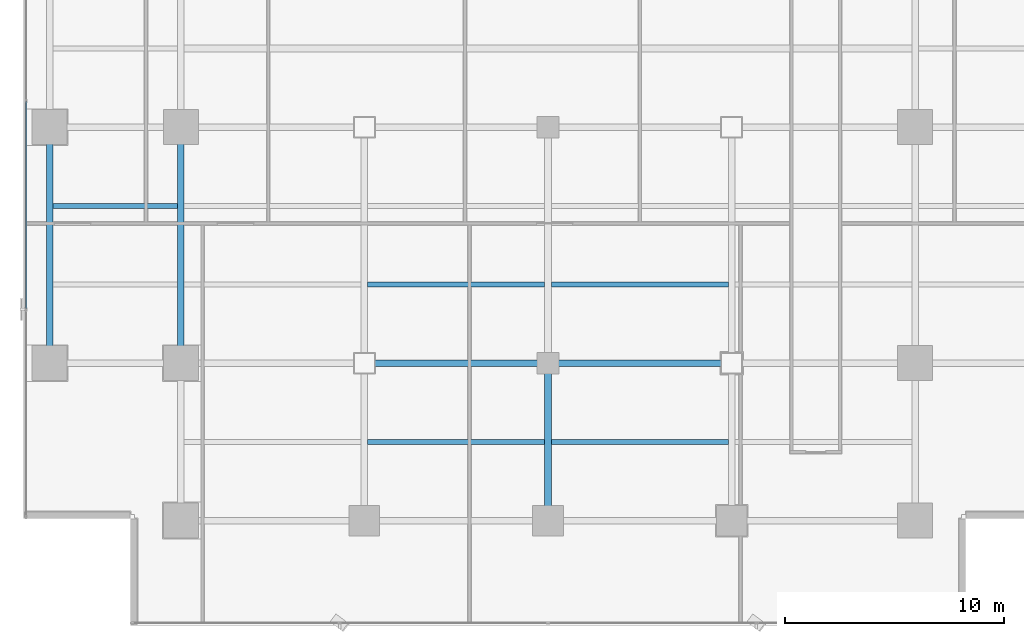
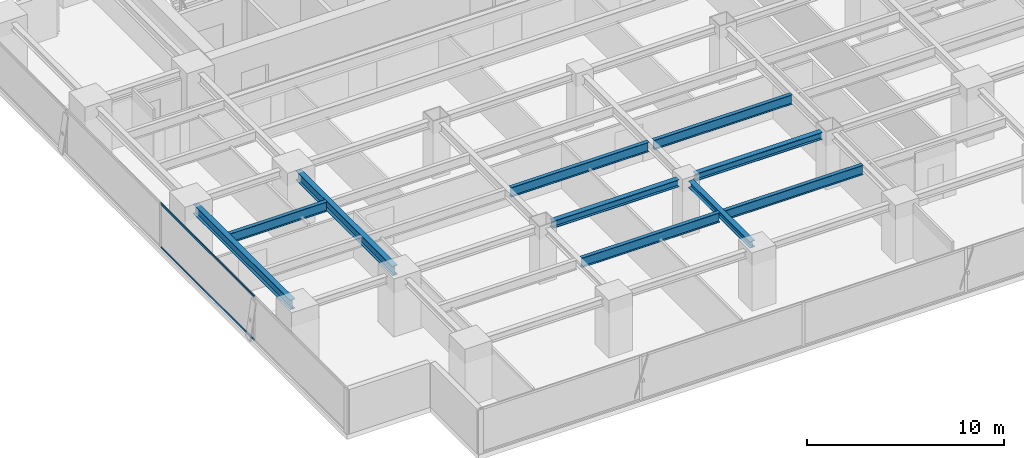
# One storey, part 6 of 29: 10 beams, 2 members, 1 element without a shape of its own.
"""IFC4 building model written with IfcOpenShell, lengths in metres."""

from ifc_helpers import new_model, si_unit, direction, frame, origin, origin_2d, place, context, subcontext, project, spatial, hollow_rectangle, i_section, extrude, source, transform, mapped, material, layer, layer_set, material_profile, profile_set, type_object, element, aggregate, save


model = new_model("IFC4")

# Units and contexts
model_context = context("Model", 3, precision=1e-05, world=origin(), true_north=direction((0.0, 1.0)))
body_context = subcontext(model_context, "Body", "Model", "MODEL_VIEW")
ifc_project = project(units=[si_unit("LENGTHUNIT", "METRE"), si_unit("AREAUNIT", "SQUARE_METRE"), si_unit("VOLUMEUNIT", "CUBIC_METRE"), si_unit("PLANEANGLEUNIT", "RADIAN"), si_unit("MASSUNIT", "GRAM", prefix="KILO")], contexts=[model_context])

# Site, building, storey
site_placement = place(None, origin())
site = spatial("IfcSite", under=ifc_project, at=site_placement, CompositionType="ELEMENT")
building_placement = place(site_placement, origin())
building = spatial("IfcBuilding", under=site, at=building_placement, Name="Sumidabori Civic Tower", CompositionType="ELEMENT")
storey_placement = place(building_placement, frame((0.0, 0.0, 131.60009765625)))
storey = spatial("IfcBuildingStorey", under=building, at=storey_placement, Name="L33", CompositionType="ELEMENT", Elevation=131.60009765625)

# Beams
ifc_material_1 = material(Name="Steel SN490", Category="steel")
ifc_material_profile_1 = material_profile(ifc_material_1, i_section(OverallWidth=0.300048828125, OverallDepth=0.39990234375, WebThickness=0.013427734375, FlangeThickness=0.02392578125, at=origin_2d()), Name="HE 400 B")
ifc_profile_set_1 = profile_set([ifc_material_profile_1], Name="Steel SN490")
beam_type_1 = type_object("IfcBeamType", Name="BM-GIRD-400", PredefinedType="BEAM", material=ifc_profile_set_1)
shared_shape_1 = source(origin(), body_context, "Body", "SweptSolid", [
    extrude(i_section(OverallWidth=0.300048828125, OverallDepth=0.39990234375, WebThickness=0.013427734375, FlangeThickness=0.02392578125, at=origin_2d()), origin(), (0.0, 0.0, 1.0), 6.239990234375),
])
beam_1_placement = place(storey_placement, frame((0.0, -17.52001953125, 3.179931640625), z_axis=(0.0, 1.0, 0.0), x_axis=(-1.0, 0.0, 0.0)))
element("IfcBeam", 1, at=beam_1_placement, inside=storey, type_object=beam_type_1, Name="Primary Girder L33 GY-28", PredefinedType="BEAM", context=body_context, shape_type="MappedRepresentation", body=[
    mapped(shared_shape_1, transform((0.0, 0.0, 0.0), x_axis=(1.0, 0.0, 0.0), y_axis=(0.0, 1.0, 0.0), z_axis=(0.0, 0.0, 1.0), scale=1.0)),
])
ifc_material_profile_2 = material_profile(ifc_material_1, i_section(OverallWidth=0.300048828125, OverallDepth=0.60009765625, WebThickness=0.015380859375, FlangeThickness=0.030029296875, at=origin_2d()), Name="HE 600 B")
ifc_profile_set_2 = profile_set([ifc_material_profile_2], Name="Steel SN490")
beam_type_2 = type_object("IfcBeamType", Name="BM-GIRD-600", PredefinedType="BEAM", material=ifc_profile_set_2)
shared_shape_2 = source(origin(), body_context, "Body", "SweptSolid", [
    extrude(i_section(OverallWidth=0.300048828125, OverallDepth=0.60009765625, WebThickness=0.015380859375, FlangeThickness=0.030029296875, at=origin_2d()), origin(), (0.0, 0.0, 1.0), 9.840087890625),
])
for number, where, z_axis, x_axis, name in (
    (2, (-22.800048828125, -10.320068359375, 3.079833984375), (0.0, 1.0, 0.0), (-1.0, 0.0, 0.0), "Primary Girder L33 GY-19"),
    (3, (-16.800048828125, -10.320068359375, 3.079833984375), (0.0, 1.0, 0.0), (-1.0, 0.0, 0.0), "Primary Girder L33 GY-23"),
):
    element("IfcBeam", number, at=place(storey_placement, frame(where, z_axis=z_axis, x_axis=x_axis)), inside=storey, type_object=beam_type_2, Name=name, PredefinedType="BEAM", context=body_context, shape_type="MappedRepresentation", body=[
        mapped(shared_shape_2, transform((0.0, 0.0, 0.0), x_axis=(1.0, 0.0, 0.0), y_axis=(0.0, 1.0, 0.0), z_axis=(0.0, 0.0, 1.0), scale=1.0)),
    ])
ifc_material_profile_3 = material_profile(ifc_material_1, i_section(OverallWidth=0.219970703125, OverallDepth=0.60009765625, WebThickness=0.011962890625, FlangeThickness=0.01904296875, at=origin_2d()), Name="IPE 600")
ifc_profile_set_3 = profile_set([ifc_material_profile_3], Name="Steel SN490")
beam_type_3 = type_object("IfcBeamType", Name="BM-JST-600", PredefinedType="JOIST", material=ifc_profile_set_3)
shared_shape_3 = source(origin(), body_context, "Body", "SweptSolid", [
    extrude(i_section(OverallWidth=0.219970703125, OverallDepth=0.60009765625, WebThickness=0.011962890625, FlangeThickness=0.01904296875, at=origin_2d()), origin(), (0.0, 0.0, 1.0), 5.699951171875),
])
beam_2_placement = place(storey_placement, frame((-22.64990234375, -3.60009765625, 3.079833984375), z_axis=(1.0, 0.0, 0.0), x_axis=(0.0, 1.0, 0.0)))
element("IfcBeam", 4, at=beam_2_placement, inside=storey, type_object=beam_type_3, Name="Outer Bay Floor Joist L33 JSTO-41", PredefinedType="JOIST", context=body_context, shape_type="MappedRepresentation", body=[
    mapped(shared_shape_3, transform((0.0, 0.0, 0.0), x_axis=(1.0, 0.0, 0.0), y_axis=(0.0, 1.0, 0.0), z_axis=(0.0, 0.0, 1.0), scale=1.0)),
])
shared_shape_4 = source(origin(), body_context, "Body", "SweptSolid", [
    extrude(i_section(OverallWidth=0.219970703125, OverallDepth=0.60009765625, WebThickness=0.011962890625, FlangeThickness=0.01904296875, at=origin_2d()), origin(), (0.0, 0.0, 1.0), 8.10009765625),
])
for number, where, z_axis, x_axis, name in (
    (5, (-8.25, -14.39990234375, 3.079833984375), (1.0, 0.0, 0.0), (0.0, 1.0, 0.0), "South Bay Floor Joist L33 JSTS-50"),
    (6, (0.14990234375, -14.39990234375, 3.079833984375), (1.0, 0.0, 0.0), (0.0, 1.0, 0.0), "South Bay Floor Joist L33 JSTS-51"),
    (7, (-8.25, -7.199951171875, 3.079833984375), (1.0, 0.0, 0.0), (0.0, 1.0, 0.0), "South Bay Floor Joist L33 JSTS-54"),
    (8, (0.14990234375, -7.199951171875, 3.079833984375), (1.0, 0.0, 0.0), (0.0, 1.0, 0.0), "South Bay Floor Joist L33 JSTS-55"),
):
    element("IfcBeam", number, at=place(storey_placement, frame(where, z_axis=z_axis, x_axis=x_axis)), inside=storey, type_object=beam_type_3, Name=name, PredefinedType="JOIST", context=body_context, shape_type="MappedRepresentation", body=[
        mapped(shared_shape_4, transform((0.0, 0.0, 0.0), x_axis=(1.0, 0.0, 0.0), y_axis=(0.0, 1.0, 0.0), z_axis=(0.0, 0.0, 1.0), scale=1.0)),
    ])
ifc_material_profile_4 = material_profile(ifc_material_1, i_section(OverallWidth=0.300048828125, OverallDepth=0.449951171875, WebThickness=0.013916015625, FlangeThickness=0.02587890625, at=origin_2d()), Name="HE 450 B")
ifc_profile_set_4 = profile_set([ifc_material_profile_4], Name="Steel SN490")
beam_type_4 = type_object("IfcBeamType", Name="BM-GIRD-450", PredefinedType="BEAM", material=ifc_profile_set_4)
shared_shape_5 = source(origin(), body_context, "Body", "SweptSolid", [
    extrude(i_section(OverallWidth=0.300048828125, OverallDepth=0.449951171875, WebThickness=0.013916015625, FlangeThickness=0.02587890625, at=origin_2d()), origin(), (0.0, 0.0, 1.0), 7.43994140625),
])
for number, where, z_axis, x_axis, name in (
    (9, (-7.919921875, -10.800048828125, 3.15478515625), (1.0, 0.0, 0.0), (0.0, 1.0, 0.0), "Primary Girder L33 GX-07"),
    (10, (0.47998046875, -10.800048828125, 3.15478515625), (1.0, 0.0, 0.0), (0.0, 1.0, 0.0), "Primary Girder L33 GX-08"),
):
    element("IfcBeam", number, at=place(storey_placement, frame(where, z_axis=z_axis, x_axis=x_axis)), inside=storey, type_object=beam_type_4, Name=name, PredefinedType="BEAM", context=body_context, shape_type="MappedRepresentation", body=[
        mapped(shared_shape_5, transform((0.0, 0.0, 0.0), x_axis=(1.0, 0.0, 0.0), y_axis=(0.0, 1.0, 0.0), z_axis=(0.0, 0.0, 1.0), scale=1.0)),
    ])

# Curtain wall, members
ifc_material_2 = material(Name="Anodised Bronze Aluminium AW-6063-T6", Category="aluminium")
ifc_layer = layer(ifc_material_2, 0.179931640625, Name="Anodised Bronze Aluminium AW-6063-T6")
ifc_layer_set = layer_set([ifc_layer], Name="Anodised Bronze Aluminium AW-6063-T6")
curtain_wall_type = type_object("IfcCurtainWallType", Name="CW-SYS-3", PredefinedType="NOTDEFINED", material=ifc_layer_set)
curtain_wall_placement = place(storey_placement, origin())
curtain_wall = element("IfcCurtainWall", 11, at=curtain_wall_placement, inside=storey, type_object=curtain_wall_type, Name="Curtain Wall CW:L33:R10", PredefinedType="NOTDEFINED")
ifc_material_profile_5 = material_profile(ifc_material_2, hollow_rectangle(XDim=0.06005859375, YDim=0.1298828125, WallThickness=0.0048828125, at=origin_2d()), Name="ALU TRANSOM 130x60")
ifc_profile_set_5 = profile_set([ifc_material_profile_5], Name="Anodised Bronze Aluminium AW-6063-T6")
member_type = type_object("IfcMemberType", Name="CW-TRN-130", PredefinedType="USERDEFINED", material=ifc_profile_set_5)
shared_shape_6 = source(origin(), body_context, "Body", "SweptSolid", [
    extrude(hollow_rectangle(XDim=0.06005859375, YDim=0.1298828125, WallThickness=0.0048828125, at=origin_2d()), origin(), (0.0, 0.0, 1.0), 9.469970703125),
])
member_1_placement = place(storey_placement, frame((-23.8798828125, 1.16748046875, 0.02978515625), z_axis=(0.0, -1.0, 0.0), x_axis=(1.0, 0.0, 0.0)))
member_1 = element("IfcMember", 12, at=member_1_placement, type_object=member_type, Name="CW-3 transom 3.1", ObjectType="TRANSOM", PredefinedType="USERDEFINED", context=body_context, shape_type="MappedRepresentation", body=[
    mapped(shared_shape_6, transform((0.0, 0.0, 0.0), x_axis=(1.0, 0.0, 0.0), y_axis=(0.0, 1.0, 0.0), z_axis=(0.0, 0.0, 1.0), scale=1.0)),
])
member_2_placement = place(storey_placement, frame((-23.8798828125, 1.16748046875, 2.72998046875), z_axis=(0.0, -1.0, 0.0), x_axis=(1.0, 0.0, 0.0)))
member_2 = element("IfcMember", 13, at=member_2_placement, type_object=member_type, Name="CW-3 transom 3.2", ObjectType="TRANSOM", PredefinedType="USERDEFINED", context=body_context, shape_type="MappedRepresentation", body=[
    mapped(shared_shape_6, transform((0.0, 0.0, 0.0), x_axis=(1.0, 0.0, 0.0), y_axis=(0.0, 1.0, 0.0), z_axis=(0.0, 0.0, 1.0), scale=1.0)),
])
aggregate(curtain_wall, [member_1, member_2])

save(model, "model.ifc")
